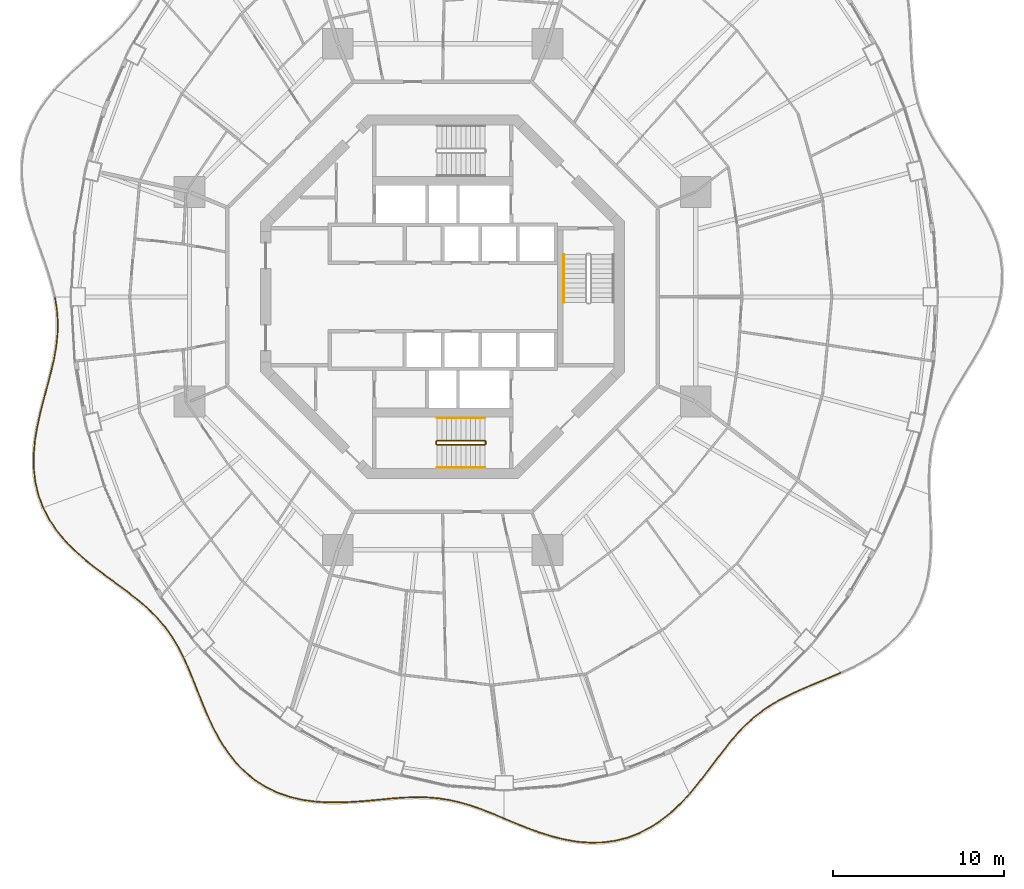
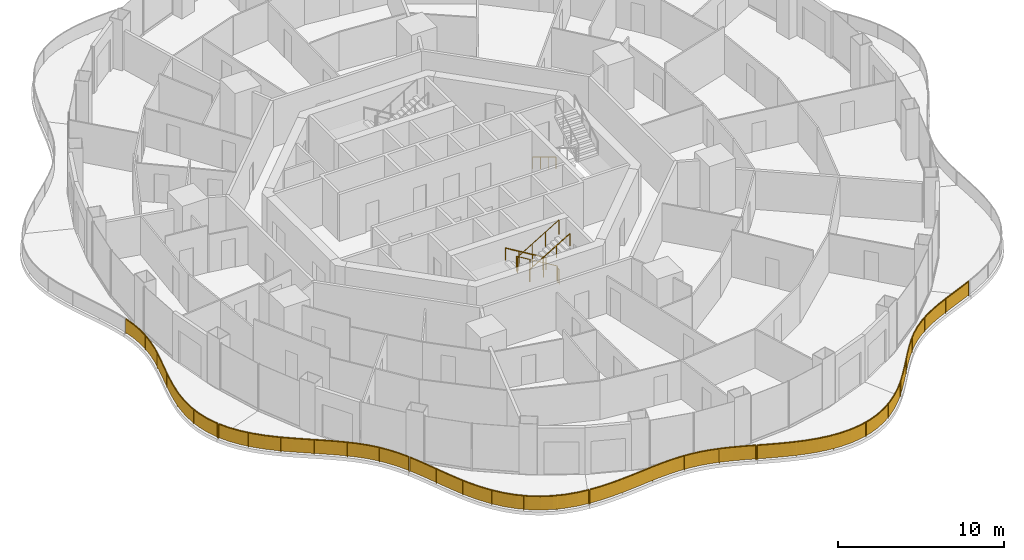
# One storey, part 17 of 19: 10 railings.
"""IFC4 building model written with IfcOpenShell, lengths in metres."""

from ifc_helpers import new_model, si_unit, direction, frame, origin, origin_2d, place, context, subcontext, project, spatial, polyline, rectangle, circle, outline, extrude, material, type_object, element, save


model = new_model("IFC4")

# Units and contexts
model_context = context("Model", 3, precision=1e-05, world=origin(), true_north=direction((0.0, 1.0)))
body_context = subcontext(model_context, "Body", "Model", "MODEL_VIEW")
ifc_project = project(units=[si_unit("LENGTHUNIT", "METRE"), si_unit("AREAUNIT", "SQUARE_METRE"), si_unit("VOLUMEUNIT", "CUBIC_METRE"), si_unit("PLANEANGLEUNIT", "RADIAN"), si_unit("MASSUNIT", "GRAM", prefix="KILO")], contexts=[model_context])

# Site, building, storey
site_placement = place(None, origin())
site = spatial("IfcSite", under=ifc_project, at=site_placement, CompositionType="ELEMENT")
building_placement = place(site_placement, origin())
building = spatial("IfcBuilding", under=site, at=building_placement, Name="Nagisa Residences", CompositionType="ELEMENT")
storey_placement = place(building_placement, frame((0.0, 0.0, 184.39990234375)))
storey = spatial("IfcBuildingStorey", under=building, at=storey_placement, Name="L46", CompositionType="ELEMENT", Elevation=184.39990234375)

# Railings
ifc_material_1 = material(Name="Stainless steel 316", Category="steel")
railing_type_1 = type_object("IfcRailingType", Name="BALCONY GUARD 1100", PredefinedType="BALUSTRADE", material=ifc_material_1)
railing_1_placement = place(storey_placement, frame((-22.63916015625, -0.03466796875, 0.0)))
element("IfcRailing", 1, at=railing_1_placement, inside=storey, type_object=railing_type_1, Name="guard:L46:bal08-0", PredefinedType="BALUSTRADE", context=body_context, shape_type="SweptSolid", body=[
    extrude(outline(polyline([(0.135986328125, -0.678955078125), (0.024658203125, 0.00390625), (-0.024658203125, -0.00390625), (0.086181640625, -0.684814453125), (0.13916015625, -1.404541015625), (0.126708984375, -2.12744140625), (0.051513671875, -2.858642578125), (-0.078125, -3.60205078125), (-0.25341796875, -4.34716796875), (-0.455810546875, -5.123046875), (-0.66943359375, -5.915283203125), (-0.875732421875, -6.7216796875), (-1.05517578125, -7.5390625), (-1.192626953125, -8.3486328125), (-1.265380859375, -9.1708984375), (-1.26171875, -9.98486328125), (-1.171875, -10.782958984375), (-0.9892578125, -11.557373046875), (-0.728515625, -12.257080078125), (-0.681640625, -12.239501953125), (-0.94140625, -11.542724609375), (-1.12255859375, -10.774169921875), (-1.2119140625, -9.98193359375), (-1.215087890625, -9.1728515625), (-1.142822265625, -8.35498046875), (-1.005859375, -7.548828125), (-0.826904296875, -6.7333984375), (-0.62109375, -5.927978515625), (-0.407470703125, -5.1357421875), (-0.205078125, -4.359375), (-0.029296875, -3.6123046875), (0.101318359375, -2.865478515625), (0.176513671875, -2.13037109375), (0.189453125, -1.403076171875), (0.135986328125, -0.678955078125)])), frame((0.0, 0.0, 1.050048828125)), (0.0, 0.0, 1.0), 0.050048828125),
    extrude(outline(polyline([(0.1181640625, -0.68115234375), (0.0068359375, 0.001220703125), (-0.0068359375, -0.001220703125), (0.10400390625, -0.6826171875), (0.1572265625, -1.404052734375), (0.14453125, -2.12841796875), (0.069580078125, -2.861083984375), (-0.060546875, -3.605712890625), (-0.236083984375, -4.3515625), (-0.4384765625, -5.127685546875), (-0.652099609375, -5.919921875), (-0.858154296875, -6.725830078125), (-1.037353515625, -7.542724609375), (-1.174560546875, -8.350830078125), (-1.247314453125, -9.171630859375), (-1.243896484375, -9.98388671875), (-1.154052734375, -10.77978515625), (-0.971923828125, -11.552001953125), (-0.711669921875, -12.250732421875), (-0.698486328125, -12.245849609375), (-0.958740234375, -11.548095703125), (-1.140380859375, -10.77734375), (-1.229736328125, -9.98291015625), (-1.233154296875, -9.172119140625), (-1.160888671875, -8.352783203125), (-1.023681640625, -7.545166015625), (-0.844482421875, -6.729248046875), (-0.638427734375, -5.92333984375), (-0.4248046875, -5.131103515625), (-0.222412109375, -4.35498046875), (-0.046875, -3.608642578125), (0.083251953125, -2.863037109375), (0.15869140625, -2.12939453125), (0.17138671875, -1.403564453125), (0.1181640625, -0.68115234375)])), frame((0.0, 0.0, 0.06005859375)), (0.0, 0.0, 1.0), 0.989990234375),
    extrude(rectangle(XDim=0.0400390625, YDim=0.0400390625, at=origin_2d()), origin(), (0.0, 0.0, 1.0), 1.050048828125),
    extrude(rectangle(XDim=0.0400390625, YDim=0.0400390625, at=origin_2d()), frame((0.152587890625, -2.0693359375, 0.0)), (0.0, 0.0, 1.0), 1.050048828125),
    extrude(rectangle(XDim=0.0400390625, YDim=0.0400390625, at=origin_2d()), frame((-0.174560546875, -4.12060546875, 0.0)), (0.0, 0.0, 1.0), 1.050048828125),
    extrude(rectangle(XDim=0.0400390625, YDim=0.0400390625, at=origin_2d()), frame((-0.699462890625, -6.133544921875, 0.0)), (0.0, 0.0, 1.0), 1.050048828125),
    extrude(rectangle(XDim=0.0400390625, YDim=0.0400390625, at=origin_2d()), frame((-1.13623046875, -8.16650390625, 0.0)), (0.0, 0.0, 1.0), 1.050048828125),
    extrude(rectangle(XDim=0.0400390625, YDim=0.0400390625, at=origin_2d()), frame((-1.2080078125, -10.239501953125, 0.0)), (0.0, 0.0, 1.0), 1.050048828125),
    extrude(rectangle(XDim=0.0400390625, YDim=0.0400390625, at=origin_2d()), frame((-0.705078125, -12.248291015625, 0.0)), (0.0, 0.0, 1.0), 1.050048828125),
])
railing_2_placement = place(storey_placement, frame((-23.312744140625, -12.353759765625, 0.0)))
element("IfcRailing", 2, at=railing_2_placement, inside=storey, type_object=railing_type_1, Name="guard:L46:bal09-0", PredefinedType="BALUSTRADE", context=body_context, shape_type="SweptSolid", body=[
    extrude(outline(polyline([(0.35595703125, -0.630859375), (0.022216796875, 0.011474609375), (-0.022216796875, -0.011474609375), (0.31298828125, -0.65625), (0.74951171875, -1.306640625), (1.25634765625, -1.9189453125), (1.82080078125, -2.4931640625), (2.428955078125, -3.033203125), (3.0576171875, -3.52978515625), (3.704345703125, -4.01611328125), (4.3466796875, -4.487548828125), (4.970458984375, -4.953125), (5.563232421875, -5.422607421875), (6.107421875, -5.892822265625), (6.614013671875, -6.397705078125), (7.072021484375, -6.931884765625), (7.482421875, -7.501953125), (7.849853515625, -8.110107421875), (8.16162109375, -8.72021484375), (8.2060546875, -8.697265625), (7.893798828125, -8.085693359375), (7.5244140625, -7.47412109375), (7.111572265625, -6.901123046875), (6.650634765625, -6.363525390625), (6.1416015625, -5.856201171875), (5.594970703125, -5.384033203125), (5.000732421875, -4.91357421875), (4.37646484375, -4.447509765625), (3.734130859375, -3.97607421875), (3.08837890625, -3.490234375), (2.461181640625, -2.99462890625), (1.85546875, -2.45703125), (1.29345703125, -1.88525390625), (0.78955078125, -1.27685546875), (0.35595703125, -0.630859375)])), frame((0.0, 0.0, 1.050048828125)), (0.0, 0.0, 1.0), 0.050048828125),
    extrude(outline(polyline([(0.340576171875, -0.639892578125), (0.006103515625, 0.003173828125), (-0.006103515625, -0.003173828125), (0.328369140625, -0.647216796875), (0.763916015625, -1.2958984375), (1.269775390625, -1.90673828125), (1.833251953125, -2.480224609375), (2.440673828125, -3.019287109375), (3.068603515625, -3.515625), (3.715087890625, -4.001708984375), (4.357421875, -4.47314453125), (4.9814453125, -4.93896484375), (5.57470703125, -5.40869140625), (6.11962890625, -5.879638671875), (6.627197265625, -6.385498046875), (7.086181640625, -6.9208984375), (7.49755859375, -7.491943359375), (7.86572265625, -8.101318359375), (8.177490234375, -8.7119140625), (8.190185546875, -8.70556640625), (7.8779296875, -8.094482421875), (7.50927734375, -7.484130859375), (7.097412109375, -6.912109375), (6.637451171875, -6.375732421875), (6.12939453125, -5.869384765625), (5.58349609375, -5.39794921875), (4.98974609375, -4.927734375), (4.36572265625, -4.4619140625), (3.723388671875, -3.990478515625), (3.077392578125, -3.50439453125), (2.449462890625, -3.008544921875), (1.843017578125, -2.469970703125), (1.280029296875, -1.8974609375), (0.775146484375, -1.28759765625), (0.340576171875, -0.639892578125)])), frame((0.0, 0.0, 0.06005859375)), (0.0, 0.0, 1.0), 0.989990234375),
    extrude(rectangle(XDim=0.0400390625, YDim=0.0400390625, at=origin_2d()), origin(), (0.0, 0.0, 1.0), 1.050048828125),
    extrude(rectangle(XDim=0.0400390625, YDim=0.0400390625, at=origin_2d()), frame((1.095458984375, -1.685302734375, 0.0)), (0.0, 0.0, 1.0), 1.050048828125),
    extrude(rectangle(XDim=0.0400390625, YDim=0.0400390625, at=origin_2d()), frame((2.53955078125, -3.08837890625, 0.0)), (0.0, 0.0, 1.0), 1.050048828125),
    extrude(rectangle(XDim=0.0400390625, YDim=0.0400390625, at=origin_2d()), frame((4.14501953125, -4.30859375, 0.0)), (0.0, 0.0, 1.0), 1.050048828125),
    extrude(rectangle(XDim=0.0400390625, YDim=0.0400390625, at=origin_2d()), frame((5.739990234375, -5.542236328125, 0.0)), (0.0, 0.0, 1.0), 1.050048828125),
    extrude(rectangle(XDim=0.0400390625, YDim=0.0400390625, at=origin_2d()), frame((7.14208984375, -6.986083984375, 0.0)), (0.0, 0.0, 1.0), 1.050048828125),
    extrude(rectangle(XDim=0.0400390625, YDim=0.0400390625, at=origin_2d()), frame((8.183837890625, -8.708740234375, 0.0)), (0.0, 0.0, 1.0), 1.050048828125),
])
railing_3_placement = place(storey_placement, frame((-15.099853515625, -21.12841796875, 0.0)))
element("IfcRailing", 3, at=railing_3_placement, inside=storey, type_object=railing_type_1, Name="guard:L46:bal10-0", PredefinedType="BALUSTRADE", context=body_context, shape_type="SweptSolid", body=[
    extrude(outline(polyline([(0.29638671875, -0.603759765625), (0.02294921875, 0.01025390625), (-0.02294921875, -0.01025390625), (0.25048828125, -0.623291015625), (0.529296875, -1.30419921875), (0.80615234375, -2.00732421875), (1.092041015625, -2.72314453125), (1.39892578125, -3.44140625), (1.72509765625, -4.1396484375), (2.10302734375, -4.826416015625), (2.528076171875, -5.478271484375), (3.004638671875, -6.08349609375), (3.53515625, -6.630859375), (4.10791015625, -7.104248046875), (4.741455078125, -7.51123046875), (5.423095703125, -7.842529296875), (6.14404296875, -8.09619140625), (6.896484375, -8.275390625), (7.624267578125, -8.3759765625), (7.631103515625, -8.326171875), (6.90576171875, -8.22607421875), (6.158203125, -8.04833984375), (5.442626953125, -7.796142578125), (4.765869140625, -7.46728515625), (4.1376953125, -7.063720703125), (3.5693359375, -6.59423828125), (3.042236328125, -6.05029296875), (2.568603515625, -5.448974609375), (2.14599609375, -4.800537109375), (1.76953125, -4.1171875), (1.44482421875, -3.4208984375), (1.138427734375, -2.7041015625), (0.8525390625, -1.98876953125), (0.57568359375, -1.28564453125), (0.29638671875, -0.603759765625)])), frame((0.0, 0.0, 1.050048828125)), (0.0, 0.0, 1.0), 0.050048828125),
    extrude(outline(polyline([(0.27978515625, -0.61083984375), (0.00634765625, 0.0029296875), (-0.00634765625, -0.0029296875), (0.26708984375, -0.6162109375), (0.5458984375, -1.297607421875), (0.82275390625, -2.000732421875), (1.10888671875, -2.71630859375), (1.41552734375, -3.43408203125), (1.740966796875, -4.131591796875), (2.118408203125, -4.817138671875), (2.542724609375, -5.4677734375), (3.01806640625, -6.071533203125), (3.547607421875, -6.61767578125), (4.11865234375, -7.089599609375), (4.750244140625, -7.495361328125), (5.43017578125, -7.825927734375), (6.149169921875, -8.0791015625), (6.89990234375, -8.257568359375), (7.626708984375, -8.35791015625), (7.628662109375, -8.34423828125), (6.90234375, -8.243896484375), (6.153076171875, -8.0654296875), (5.435546875, -7.812744140625), (4.757080078125, -7.483154296875), (4.126953125, -7.078369140625), (3.556884765625, -6.607421875), (3.02880859375, -6.062255859375), (2.553955078125, -5.45947265625), (2.130615234375, -4.809814453125), (1.753662109375, -4.125244140625), (1.42822265625, -3.42822265625), (1.12158203125, -2.7109375), (0.8359375, -1.995361328125), (0.55908203125, -1.292236328125), (0.27978515625, -0.61083984375)])), frame((0.0, 0.0, 0.06005859375)), (0.0, 0.0, 1.0), 0.989990234375),
    extrude(rectangle(XDim=0.0400390625, YDim=0.0400390625, at=origin_2d()), origin(), (0.0, 0.0, 1.0), 1.050048828125),
    extrude(rectangle(XDim=0.0400390625, YDim=0.0400390625, at=origin_2d()), frame((0.7744140625, -1.8583984375, 0.0)), (0.0, 0.0, 1.0), 1.050048828125),
    extrude(rectangle(XDim=0.0400390625, YDim=0.0400390625, at=origin_2d()), frame((1.553955078125, -3.71435546875, 0.0)), (0.0, 0.0, 1.0), 1.050048828125),
    extrude(rectangle(XDim=0.0400390625, YDim=0.0400390625, at=origin_2d()), frame((2.54736328125, -5.462158203125, 0.0)), (0.0, 0.0, 1.0), 1.050048828125),
    extrude(rectangle(XDim=0.0400390625, YDim=0.0400390625, at=origin_2d()), frame((3.92529296875, -6.9208984375, 0.0)), (0.0, 0.0, 1.0), 1.050048828125),
    extrude(rectangle(XDim=0.0400390625, YDim=0.0400390625, at=origin_2d()), frame((5.6708984375, -7.903076171875, 0.0)), (0.0, 0.0, 1.0), 1.050048828125),
    extrude(rectangle(XDim=0.0400390625, YDim=0.0400390625, at=origin_2d()), frame((7.627685546875, -8.35107421875, 0.0)), (0.0, 0.0, 1.0), 1.050048828125),
])
railing_4_placement = place(storey_placement, frame((-7.395263671875, -29.486328125, 0.0)))
element("IfcRailing", 4, at=railing_4_placement, inside=storey, type_object=railing_type_1, Name="guard:L46:bal11-0", PredefinedType="BALUSTRADE", context=body_context, shape_type="SweptSolid", body=[
    extrude(outline(polyline([(0.711669921875, -0.017333984375), (0.00146484375, 0.02490234375), (-0.00146484375, -0.02490234375), (0.710205078125, -0.067138671875), (1.4736328125, -0.068359375), (2.234375, -0.033447265625), (2.98583984375, 0.024169921875), (3.7236328125, 0.092041015625), (4.427001953125, 0.161865234375), (5.128173828125, 0.211669921875), (5.81103515625, 0.2353515625), (6.476806640625, 0.224609375), (7.128662109375, 0.17236328125), (7.753173828125, 0.078125), (8.390869140625, -0.064697265625), (9.029052734375, -0.251220703125), (9.6728515625, -0.47607421875), (10.326904296875, -0.73193359375), (10.951416015625, -0.99267578125), (10.970458984375, -0.9462890625), (10.345458984375, -0.685546875), (9.6904296875, -0.42919921875), (9.044189453125, -0.203369140625), (8.403564453125, -0.016357421875), (7.762451171875, 0.12744140625), (7.134521484375, 0.22216796875), (6.479248046875, 0.2744140625), (5.810546875, 0.28564453125), (5.125732421875, 0.261474609375), (4.422607421875, 0.211669921875), (3.71875, 0.141845703125), (2.9814453125, 0.073974609375), (2.2314453125, 0.016357421875), (1.47265625, -0.01806640625), (0.711669921875, -0.017333984375)])), frame((0.0, 0.0, 1.050048828125)), (0.0, 0.0, 1.0), 0.050048828125),
    extrude(outline(polyline([(0.711181640625, -0.03515625), (0.00048828125, 0.007080078125), (-0.00048828125, -0.007080078125), (0.710693359375, -0.04931640625), (1.473388671875, -0.05029296875), (2.2333984375, -0.015625), (2.984130859375, 0.0419921875), (3.721923828125, 0.10986328125), (4.42529296875, 0.1796875), (5.12744140625, 0.2294921875), (5.810791015625, 0.25341796875), (6.477783203125, 0.242431640625), (7.130859375, 0.190185546875), (7.756591796875, 0.095947265625), (8.3955078125, -0.04736328125), (9.034423828125, -0.23388671875), (9.67919921875, -0.459228515625), (10.33349609375, -0.71533203125), (10.958251953125, -0.975830078125), (10.963623046875, -0.963134765625), (10.3388671875, -0.7021484375), (9.68408203125, -0.446044921875), (9.038818359375, -0.220703125), (8.39892578125, -0.03369140625), (7.759033203125, 0.109619140625), (7.13232421875, 0.204345703125), (6.478271484375, 0.256591796875), (5.810791015625, 0.267578125), (5.12646484375, 0.24365234375), (4.42431640625, 0.19384765625), (3.720458984375, 0.1240234375), (2.983154296875, 0.05615234375), (2.232421875, -0.00146484375), (1.472900390625, -0.0361328125), (0.711181640625, -0.03515625)])), frame((0.0, 0.0, 0.06005859375)), (0.0, 0.0, 1.0), 0.989990234375),
    extrude(rectangle(XDim=0.0400390625, YDim=0.0400390625, at=origin_2d()), origin(), (0.0, 0.0, 1.0), 1.050048828125),
    extrude(rectangle(XDim=0.0400390625, YDim=0.0400390625, at=origin_2d()), frame((2.23095703125, -0.008544921875, 0.0)), (0.0, 0.0, 1.0), 1.050048828125),
    extrude(rectangle(XDim=0.0400390625, YDim=0.0400390625, at=origin_2d()), frame((4.454833984375, 0.18896484375, 0.0)), (0.0, 0.0, 1.0), 1.050048828125),
    extrude(rectangle(XDim=0.0400390625, YDim=0.0400390625, at=origin_2d()), frame((6.68505859375, 0.23291015625, 0.0)), (0.0, 0.0, 1.0), 1.050048828125),
    extrude(rectangle(XDim=0.0400390625, YDim=0.0400390625, at=origin_2d()), frame((8.87353515625, -0.1796875, 0.0)), (0.0, 0.0, 1.0), 1.050048828125),
    extrude(rectangle(XDim=0.0400390625, YDim=0.0400390625, at=origin_2d()), frame((10.9609375, -0.969482421875, 0.0)), (0.0, 0.0, 1.0), 1.050048828125),
])
railing_5_placement = place(storey_placement, frame((3.63427734375, -30.486572265625, 0.0)))
element("IfcRailing", 5, at=railing_5_placement, inside=storey, type_object=railing_type_1, Name="guard:L46:bal12-0", PredefinedType="BALUSTRADE", context=body_context, shape_type="SweptSolid", body=[
    extrude(outline(polyline([(0.650146484375, -0.246337890625), (0.009765625, 0.02294921875), (-0.009765625, -0.02294921875), (0.631103515625, -0.292724609375), (1.332275390625, -0.572509765625), (2.050048828125, -0.833251953125), (2.78271484375, -1.061279296875), (3.52490234375, -1.242919921875), (4.25830078125, -1.369140625), (5.0087890625, -1.424560546875), (5.7529296875, -1.404052734375), (6.48486328125, -1.30322265625), (7.197265625, -1.119873046875), (7.8681640625, -0.86083984375), (8.52587890625, -0.519775390625), (9.14990234375, -0.108642578125), (9.73876953125, 0.363037109375), (10.29248046875, 0.884033203125), (10.7783203125, 1.40966796875), (10.74169921875, 1.44384765625), (10.2568359375, 0.919189453125), (9.7060546875, 0.400634765625), (9.12060546875, -0.068115234375), (8.50048828125, -0.476318359375), (7.84765625, -0.81494140625), (7.18212890625, -1.072021484375), (6.47509765625, -1.25390625), (5.7490234375, -1.354248046875), (5.009765625, -1.374267578125), (4.26416015625, -1.3193359375), (3.53515625, -1.194091796875), (2.7958984375, -1.012939453125), (2.066162109375, -0.785888671875), (1.350341796875, -0.525634765625), (0.650146484375, -0.246337890625)])), frame((0.0, 0.0, 1.050048828125)), (0.0, 0.0, 1.0), 0.050048828125),
    extrude(outline(polyline([(0.643310546875, -0.262939453125), (0.002685546875, 0.00634765625), (-0.002685546875, -0.00634765625), (0.637939453125, -0.276123046875), (1.3388671875, -0.5556640625), (2.055908203125, -0.816162109375), (2.787353515625, -1.0439453125), (3.528564453125, -1.225341796875), (4.260498046875, -1.35107421875), (5.009033203125, -1.406494140625), (5.75146484375, -1.38623046875), (6.4814453125, -1.285400390625), (7.19189453125, -1.1025390625), (7.86083984375, -0.84423828125), (8.516845703125, -0.504150390625), (9.139404296875, -0.093994140625), (9.72705078125, 0.37646484375), (10.279541015625, 0.896728515625), (10.76513671875, 1.422119140625), (10.7548828125, 1.431396484375), (10.269775390625, 0.906494140625), (9.7177734375, 0.38720703125), (9.131103515625, -0.082763671875), (8.509521484375, -0.491943359375), (7.85498046875, -0.83154296875), (7.1875, -1.08935546875), (6.478515625, -1.271728515625), (5.75048828125, -1.3720703125), (5.009521484375, -1.392333984375), (4.261962890625, -1.33740234375), (3.531494140625, -1.211669921875), (2.791259765625, -1.0302734375), (2.060302734375, -0.802978515625), (1.34375, -0.54248046875), (0.643310546875, -0.262939453125)])), frame((0.0, 0.0, 0.06005859375)), (0.0, 0.0, 1.0), 0.989990234375),
    extrude(rectangle(XDim=0.0400390625, YDim=0.0400390625, at=origin_2d()), origin(), (0.0, 0.0, 1.0), 1.050048828125),
    extrude(rectangle(XDim=0.0400390625, YDim=0.0400390625, at=origin_2d()), frame((2.21240234375, -0.857666015625, 0.0)), (0.0, 0.0, 1.0), 1.050048828125),
    extrude(rectangle(XDim=0.0400390625, YDim=0.0400390625, at=origin_2d()), frame((4.525390625, -1.36376953125, 0.0)), (0.0, 0.0, 1.0), 1.050048828125),
    extrude(rectangle(XDim=0.0400390625, YDim=0.0400390625, at=origin_2d()), frame((6.877685546875, -1.17626953125, 0.0)), (0.0, 0.0, 1.0), 1.050048828125),
    extrude(rectangle(XDim=0.0400390625, YDim=0.0400390625, at=origin_2d()), frame((9.01171875, -0.169677734375, 0.0)), (0.0, 0.0, 1.0), 1.050048828125),
    extrude(rectangle(XDim=0.0400390625, YDim=0.0400390625, at=origin_2d()), frame((10.760009765625, 1.4267578125, 0.0)), (0.0, 0.0, 1.0), 1.050048828125),
])
railing_6_placement = place(storey_placement, frame((14.444580078125, -29.001220703125, 0.0)))
element("IfcRailing", 6, at=railing_6_placement, inside=storey, type_object=railing_type_1, Name="guard:L46:bal13-0", PredefinedType="BALUSTRADE", context=body_context, shape_type="SweptSolid", body=[
    extrude(outline(polyline([(0.4560546875, 0.585205078125), (-0.019287109375, 0.01611328125), (0.019287109375, -0.01611328125), (0.4951171875, 0.553955078125), (0.97705078125, 1.169189453125), (1.4404296875, 1.78173828125), (1.89306640625, 2.37890625), (2.3447265625, 2.94970703125), (2.79052734375, 3.476806640625), (3.2666015625, 3.97265625), (3.766845703125, 4.426025390625), (4.297119140625, 4.83740234375), (4.86083984375, 5.208984375), (5.448486328125, 5.53662109375), (6.08251953125, 5.848876953125), (6.747802734375, 6.14453125), (7.4375, 6.43359375), (8.1435546875, 6.727294921875), (8.814208984375, 7.015380859375), (8.794677734375, 7.061279296875), (8.1240234375, 6.773193359375), (7.41845703125, 6.47998046875), (6.727783203125, 6.1904296875), (6.0615234375, 5.894287109375), (5.425048828125, 5.5810546875), (4.8349609375, 5.251953125), (4.267822265625, 4.8779296875), (3.734619140625, 4.464599609375), (3.23193359375, 4.0087890625), (2.75341796875, 3.510498046875), (2.30615234375, 2.9814453125), (1.853515625, 2.40966796875), (1.400390625, 1.81201171875), (0.9375, 1.199951171875), (0.4560546875, 0.585205078125)])), frame((0.0, 0.0, 1.050048828125)), (0.0, 0.0, 1.0), 0.050048828125),
    extrude(outline(polyline([(0.47021484375, 0.573974609375), (-0.00537109375, 0.00439453125), (0.00537109375, -0.00439453125), (0.48095703125, 0.565185546875), (0.962890625, 1.180419921875), (1.426025390625, 1.792724609375), (1.87890625, 2.389892578125), (2.330810546875, 2.961181640625), (2.777099609375, 3.489013671875), (3.254150390625, 3.985595703125), (3.755126953125, 4.43994140625), (4.28662109375, 4.85205078125), (4.8515625, 5.224365234375), (5.43994140625, 5.552734375), (6.074951171875, 5.865234375), (6.740478515625, 6.1611328125), (7.4306640625, 6.450439453125), (8.136474609375, 6.743896484375), (8.80712890625, 7.031982421875), (8.8017578125, 7.044677734375), (8.131103515625, 6.756591796875), (7.42529296875, 6.463134765625), (6.735107421875, 6.173828125), (6.069091796875, 5.8779296875), (5.43359375, 5.56494140625), (4.84423828125, 5.236572265625), (4.2783203125, 4.86328125), (3.746337890625, 4.45068359375), (3.244384765625, 3.995849609375), (2.766845703125, 3.498291015625), (2.320068359375, 2.969970703125), (1.86767578125, 2.398681640625), (1.414794921875, 1.801025390625), (0.95166015625, 1.188720703125), (0.47021484375, 0.573974609375)])), frame((0.0, 0.0, 0.06005859375)), (0.0, 0.0, 1.0), 0.989990234375),
    extrude(rectangle(XDim=0.0400390625, YDim=0.0400390625, at=origin_2d()), origin(), (0.0, 0.0, 1.0), 1.050048828125),
    extrude(rectangle(XDim=0.0400390625, YDim=0.0400390625, at=origin_2d()), frame((1.429443359375, 1.808837890625, 0.0)), (0.0, 0.0, 1.0), 1.050048828125),
    extrude(rectangle(XDim=0.0400390625, YDim=0.0400390625, at=origin_2d()), frame((2.876953125, 3.602783203125, 0.0)), (0.0, 0.0, 1.0), 1.050048828125),
    extrude(rectangle(XDim=0.0400390625, YDim=0.0400390625, at=origin_2d()), frame((4.632080078125, 5.088134765625, 0.0)), (0.0, 0.0, 1.0), 1.050048828125),
    extrude(rectangle(XDim=0.0400390625, YDim=0.0400390625, at=origin_2d()), frame((6.679931640625, 6.141845703125, 0.0)), (0.0, 0.0, 1.0), 1.050048828125),
    extrude(rectangle(XDim=0.0400390625, YDim=0.0400390625, at=origin_2d()), frame((8.804443359375, 7.038330078125, 0.0)), (0.0, 0.0, 1.0), 1.050048828125),
])
ifc_material_2 = material(Name="Stainless steel", Category="steel")
railing_type_2 = type_object("IfcRailingType", Name="Stair guard 1100", PredefinedType="GUARDRAIL", material=ifc_material_2)
railing_7_placement = place(storey_placement, frame((2.52490234375, -8.599609375, 0.0)))
element("IfcRailing", 7, at=railing_7_placement, inside=storey, type_object=railing_type_2, Name="L46 ST-S stair guard 1", PredefinedType="GUARDRAIL", context=body_context, shape_type="SweptSolid", body=[
    extrude(circle(Radius=0.02392578125, at=origin_2d()), frame((0.0, 0.0, 1.076171875), z_axis=(0.0, 1.0, 0.0), x_axis=(-1.0, 0.0, 0.0)), (0.0, 0.0, 1.0), 0.14990234375),
    extrude(circle(Radius=0.02392578125, at=origin_2d()), frame((0.0, 0.14990234375, 1.076171875), z_axis=(-0.273006030465, 0.27434429532, 0.922064485248), x_axis=(-0.708833529934, -0.705375805398, 0.0)), (0.0, 0.0, 1.0), 0.182373046875),
    extrude(circle(Radius=0.02392578125, at=origin_2d()), frame((-0.0498046875, 0.199951171875, 1.244140625), z_axis=(-0.857242210791, 0.0, 0.514913383045), x_axis=(0.0, -1.0, 0.0)), (0.0, 0.0, 1.0), 3.266357421875),
    extrude(circle(Radius=0.02392578125, at=origin_2d()), frame((-2.849853515625, 0.199951171875, 2.92626953125), z_axis=(-0.707106781187, -0.707106781187, 0.0), x_axis=(0.707106781187, -0.707106781187, 0.0)), (0.0, 0.0, 1.0), 0.07080078125),
    extrude(circle(Radius=0.02392578125, at=origin_2d()), frame((-2.89990234375, 0.14990234375, 2.92626953125), z_axis=(0.0, -1.0, 0.0), x_axis=(1.0, 0.0, 0.0)), (0.0, 0.0, 1.0), 0.14990234375),
    extrude(circle(Radius=0.02392578125, at=origin_2d()), frame((-2.89990234375, 0.0, 2.92626953125), z_axis=(0.274243871929, -0.274243871929, 0.92172696468), x_axis=(0.707106781187, 0.707106781187, 0.0)), (0.0, 0.0, 1.0), 0.1826171875),
    extrude(circle(Radius=0.02392578125, at=origin_2d()), frame((-2.849853515625, -0.050048828125, 3.09423828125), z_axis=(0.857242210791, 0.0, 0.514913383045), x_axis=(0.0, 1.0, 0.0)), (0.0, 0.0, 1.0), 3.266357421875),
    extrude(circle(Radius=0.02099609375, at=origin_2d()), origin(), (0.0, 0.0, 1.0), 1.052001953125),
    extrude(circle(Radius=0.02099609375, at=origin_2d()), frame((0.0, 0.14990234375, 0.0)), (0.0, 0.0, 1.0), 1.052001953125),
    extrude(circle(Radius=0.02099609375, at=origin_2d()), frame((-0.0498046875, 0.199951171875, 0.168212890625)), (0.0, 0.0, 1.0), 1.052001953125),
    extrude(circle(Radius=0.02099609375, at=origin_2d()), frame((-0.983154296875, 0.199951171875, 0.728759765625)), (0.0, 0.0, 1.0), 1.052001953125),
    extrude(circle(Radius=0.02099609375, at=origin_2d()), frame((-1.91650390625, 0.199951171875, 1.28955078125)), (0.0, 0.0, 1.0), 1.052001953125),
    extrude(circle(Radius=0.02099609375, at=origin_2d()), frame((-2.849853515625, 0.199951171875, 1.85009765625)), (0.0, 0.0, 1.0), 1.052001953125),
    extrude(circle(Radius=0.02099609375, at=origin_2d()), frame((-2.89990234375, 0.14990234375, 1.85009765625)), (0.0, 0.0, 1.0), 1.052001953125),
    extrude(circle(Radius=0.02099609375, at=origin_2d()), frame((-2.89990234375, 0.0, 1.85009765625)), (0.0, 0.0, 1.0), 1.052001953125),
    extrude(circle(Radius=0.02099609375, at=origin_2d()), frame((-2.849853515625, -0.050048828125, 2.018310546875)), (0.0, 0.0, 1.0), 1.052001953125),
    extrude(circle(Radius=0.02099609375, at=origin_2d()), frame((-1.91650390625, -0.050048828125, 2.578857421875)), (0.0, 0.0, 1.0), 1.052001953125),
    extrude(circle(Radius=0.02099609375, at=origin_2d()), frame((-0.983154296875, -0.050048828125, 3.1396484375)), (0.0, 0.0, 1.0), 1.052001953125),
    extrude(circle(Radius=0.02099609375, at=origin_2d()), frame((-0.0498046875, -0.050048828125, 3.7001953125)), (0.0, 0.0, 1.0), 1.052001953125),
])
ifc_material_3 = material(Name="Stainless steel", Category="steel")
railing_type_3 = type_object("IfcRailingType", Name="Stair handrail 900", PredefinedType="HANDRAIL", material=ifc_material_3)
railing_8_placement = place(storey_placement, frame((7.07470703125, 2.47509765625, 0.168212890625)))
element("IfcRailing", 8, at=railing_8_placement, inside=storey, type_object=railing_type_3, Name="L46 ST-E stair handrail 1", PredefinedType="HANDRAIL", context=body_context, shape_type="SweptSolid", body=[
    extrude(circle(Radius=0.02392578125, at=origin_2d()), frame((0.0, 0.0, 0.8759765625), z_axis=(0.0, -0.857242210791, 0.514913383045), x_axis=(1.0, 0.0, 0.0)), (0.0, 0.0, 1.0), 3.266357421875),
    extrude(circle(Radius=0.02099609375, at=origin_2d()), origin(), (0.0, 0.0, 1.0), 0.851806640625),
    extrude(circle(Radius=0.02099609375, at=origin_2d()), frame((0.0, -0.933349609375, 0.560546875)), (0.0, 0.0, 1.0), 0.851806640625),
    extrude(circle(Radius=0.02099609375, at=origin_2d()), frame((0.0, -1.86669921875, 1.121337890625)), (0.0, 0.0, 1.0), 0.851806640625),
    extrude(circle(Radius=0.02099609375, at=origin_2d()), frame((0.0, -2.800048828125, 1.681884765625)), (0.0, 0.0, 1.0), 0.851806640625),
])
railing_9_placement = place(storey_placement, frame((2.47509765625, -7.07470703125, 0.168212890625)))
element("IfcRailing", 9, at=railing_9_placement, inside=storey, type_object=railing_type_3, Name="L46 ST-S stair handrail 1", PredefinedType="HANDRAIL", context=body_context, shape_type="SweptSolid", body=[
    extrude(circle(Radius=0.02392578125, at=origin_2d()), frame((0.0, 0.0, 0.8759765625), z_axis=(-0.857242210791, 0.0, 0.514913383045), x_axis=(0.0, -1.0, 0.0)), (0.0, 0.0, 1.0), 3.266357421875),
    extrude(circle(Radius=0.02099609375, at=origin_2d()), origin(), (0.0, 0.0, 1.0), 0.851806640625),
    extrude(circle(Radius=0.02099609375, at=origin_2d()), frame((-0.933349609375, 0.0, 0.560546875)), (0.0, 0.0, 1.0), 0.851806640625),
    extrude(circle(Radius=0.02099609375, at=origin_2d()), frame((-1.86669921875, 0.0, 1.121337890625)), (0.0, 0.0, 1.0), 0.851806640625),
    extrude(circle(Radius=0.02099609375, at=origin_2d()), frame((-2.800048828125, 0.0, 1.681884765625)), (0.0, 0.0, 1.0), 0.851806640625),
])
railing_10_placement = place(storey_placement, frame((-0.324951171875, -9.974609375, 2.018310546875)))
element("IfcRailing", 10, at=railing_10_placement, inside=storey, type_object=railing_type_3, Name="L46 ST-S stair handrail 2", PredefinedType="HANDRAIL", context=body_context, shape_type="SweptSolid", body=[
    extrude(circle(Radius=0.02392578125, at=origin_2d()), frame((0.0, 0.0, 0.8759765625), z_axis=(0.857242210791, 0.0, 0.514913383045), x_axis=(0.0, 1.0, 0.0)), (0.0, 0.0, 1.0), 3.266357421875),
    extrude(circle(Radius=0.02099609375, at=origin_2d()), origin(), (0.0, 0.0, 1.0), 0.851806640625),
    extrude(circle(Radius=0.02099609375, at=origin_2d()), frame((0.933349609375, 0.0, 0.560546875)), (0.0, 0.0, 1.0), 0.851806640625),
    extrude(circle(Radius=0.02099609375, at=origin_2d()), frame((1.86669921875, 0.0, 1.121337890625)), (0.0, 0.0, 1.0), 0.851806640625),
    extrude(circle(Radius=0.02099609375, at=origin_2d()), frame((2.800048828125, 0.0, 1.681884765625)), (0.0, 0.0, 1.0), 0.851806640625),
])

save(model, "model.ifc")
